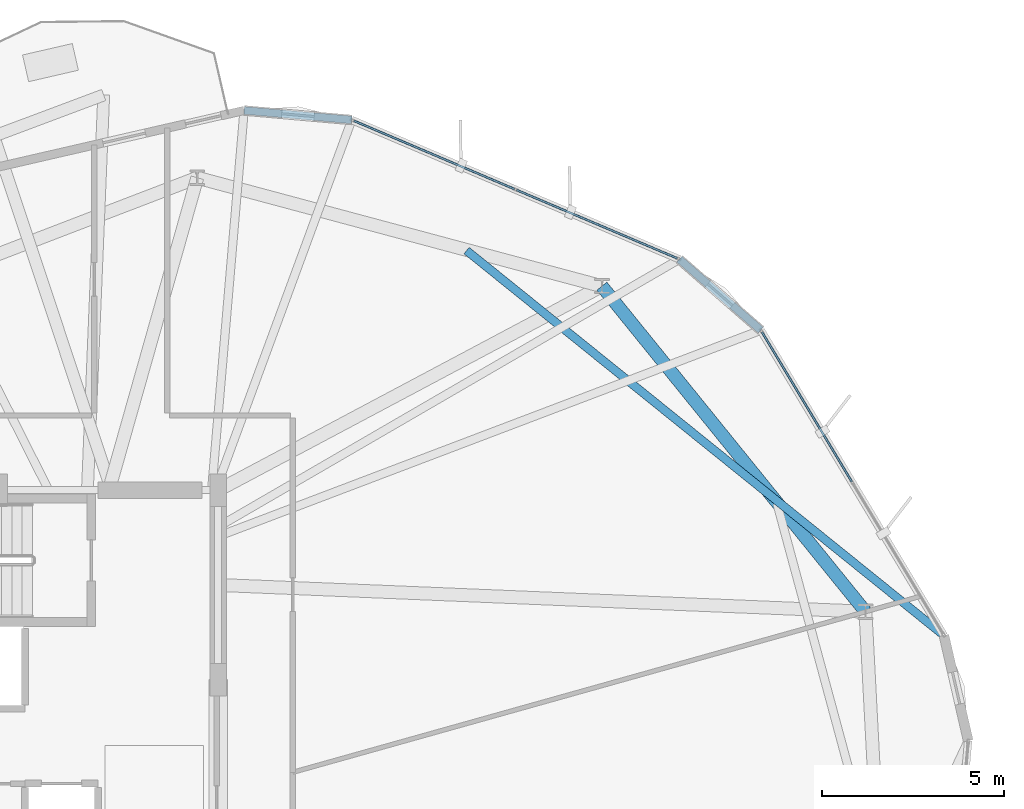
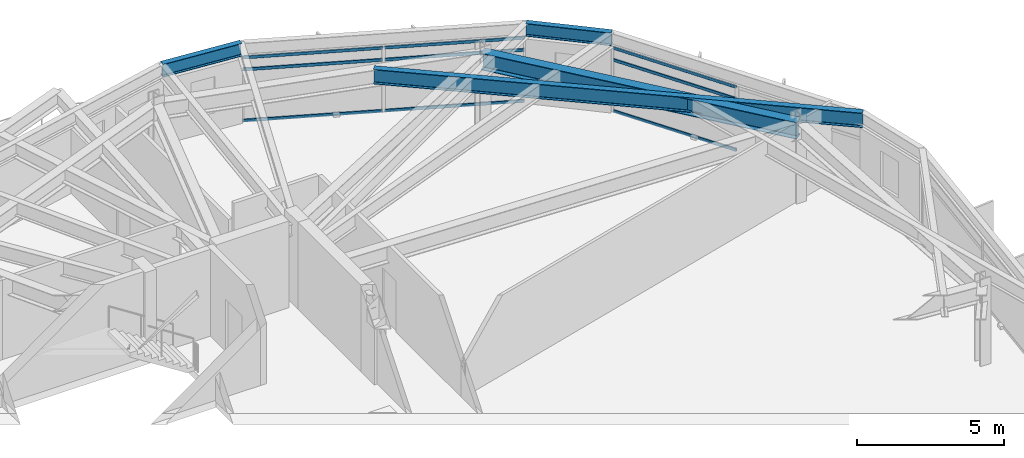
# One storey, part 19 of 27: 9 members, 4 beams, 2 elements without a shape of their own.
"""IFC4 building model written with IfcOpenShell, lengths in metres."""

from ifc_helpers import new_model, si_unit, direction, frame, origin, origin_2d, place, context, subcontext, project, spatial, hollow_rectangle, i_section, extrude, material, layer, layer_set, material_profile, profile_set, type_object, element, aggregate, save


model = new_model("IFC4")

# Units and contexts
model_context = context("Model", 3, precision=1e-05, world=origin(), true_north=direction((0.0, 1.0)))
body_context = subcontext(model_context, "Body", "Model", "MODEL_VIEW")
ifc_project = project(units=[si_unit("LENGTHUNIT", "METRE"), si_unit("AREAUNIT", "SQUARE_METRE"), si_unit("VOLUMEUNIT", "CUBIC_METRE"), si_unit("PLANEANGLEUNIT", "RADIAN"), si_unit("MASSUNIT", "GRAM", prefix="KILO")], contexts=[model_context])

# Site, building, storey
site_placement = place(None, origin())
site = spatial("IfcSite", under=ifc_project, at=site_placement, CompositionType="ELEMENT")
building_placement = place(site_placement, origin())
building = spatial("IfcBuilding", under=site, at=building_placement, Name="Soratama Intermodal Tower", CompositionType="ELEMENT")
storey_placement = place(building_placement, frame((0.0, 0.0, 212.199951171875)))
storey = spatial("IfcBuildingStorey", under=building, at=storey_placement, Name="L53", CompositionType="ELEMENT", Elevation=212.199951171875)

# Beams
ifc_material_1 = material(Name="Structural steel ASTM A992 Grade 50", Category="steel")
ifc_material_profile_1 = material_profile(ifc_material_1, i_section(OverallWidth=0.35498046875, OverallDepth=0.695068359375, WebThickness=0.015380859375, FlangeThickness=0.02490234375, FilletRadius=0.01611328125, at=origin_2d()), Name="W27X146")
ifc_profile_set_1 = profile_set([ifc_material_profile_1], Name="Structural steel ASTM A992 Grade 50")
beam_type_1 = type_object("IfcBeamType", Name="BM-RING-W27X146", PredefinedType="BEAM", material=ifc_profile_set_1)
beam_1_placement = place(storey_placement, frame((62.364990234375, 31.666015625, 2.95263671875), z_axis=(-0.629384551156, 0.777094001242, 0.0), x_axis=(-0.777094001242, -0.629384551156, 0.0)))
element("IfcBeam", 1, at=beam_1_placement, inside=storey, type_object=beam_type_1, Name="BM-L53-RING-01", PredefinedType="BEAM", context=body_context, shape_type="SweptSolid", body=[
    extrude(i_section(OverallWidth=0.35498046875, OverallDepth=0.695068359375, WebThickness=0.015380859375, FlangeThickness=0.02490234375, FilletRadius=0.01611328125, at=origin_2d()), origin(), (0.0, 0.0, 1.0), 11.49560546875),
])
ifc_material_2 = material(Name="Structural steel ASTM A992 Grade 50", Category="steel")
ifc_material_profile_2 = material_profile(ifc_material_2, i_section(OverallWidth=0.2099609375, OverallDepth=0.537109375, WebThickness=0.010986328125, FlangeThickness=0.017333984375, FilletRadius=0.012939453125, at=origin_2d()), Name="W21X68")
ifc_profile_set_2 = profile_set([ifc_material_profile_2], Name="Structural steel ASTM A992 Grade 50")
beam_type_2 = type_object("IfcBeamType", Name="BM-SPN-W21X68", PredefinedType="SPANDREL", material=ifc_profile_set_2)
beam_2_placement = place(storey_placement, frame((48.26708984375, 45.162109375, 3.031494140625), z_axis=(-0.996122641277, 0.08797547121, 0.0), x_axis=(-0.08797547121, -0.996122641277, 0.0)))
element("IfcBeam", 2, at=beam_2_placement, inside=storey, type_object=beam_type_2, Name="BS-L53-CRN01", PredefinedType="SPANDREL", context=body_context, shape_type="SweptSolid", body=[
    extrude(i_section(OverallWidth=0.2099609375, OverallDepth=0.537109375, WebThickness=0.010986328125, FlangeThickness=0.017333984375, FilletRadius=0.012939453125, at=origin_2d()), origin(), (0.0, 0.0, 1.0), 2.966552734375),
])
beam_3_placement = place(storey_placement, frame((59.493896484375, 39.39111328125, 3.031494140625), z_axis=(-0.754114469812, 0.656742998759, 0.0), x_axis=(-0.656742998759, -0.754114469812, 0.0)))
element("IfcBeam", 3, at=beam_3_placement, inside=storey, type_object=beam_type_2, Name="BS-L53-CRN10", PredefinedType="SPANDREL", context=body_context, shape_type="SweptSolid", body=[
    extrude(i_section(OverallWidth=0.2099609375, OverallDepth=0.537109375, WebThickness=0.010986328125, FlangeThickness=0.017333984375, FilletRadius=0.012939453125, at=origin_2d()), origin(), (0.0, 0.0, 1.0), 2.966064453125),
])
ifc_material_3 = material(Name="Structural steel ASTM A992 Grade 50", Category="steel")
ifc_material_profile_3 = material_profile(ifc_material_3, i_section(OverallWidth=0.22900390625, OverallDepth=0.612060546875, WebThickness=0.011962890625, FlangeThickness=0.01953125, FilletRadius=0.012939453125, at=origin_2d()), Name="W24X84")
ifc_profile_set_3 = profile_set([ifc_material_profile_3], Name="Structural steel ASTM A992 Grade 50")
beam_type_3 = type_object("IfcBeamType", Name="BM-TIE-W24X84", PredefinedType="BEAM", material=ifc_profile_set_3)
beam_4_placement = place(storey_placement, frame((51.4169921875, 41.576904296875, 2.994140625), z_axis=(0.778528268191, -0.62760954074, 0.0), x_axis=(0.62760954074, 0.778528268191, 0.0)))
element("IfcBeam", 4, at=beam_4_placement, inside=storey, type_object=beam_type_3, Name="BM-L53-TIE0-10", PredefinedType="BEAM", context=body_context, shape_type="SweptSolid", body=[
    extrude(i_section(OverallWidth=0.22900390625, OverallDepth=0.612060546875, WebThickness=0.011962890625, FlangeThickness=0.01953125, FilletRadius=0.012939453125, at=origin_2d()), origin(), (0.0, 0.0, 1.0), 16.83056640625),
])

# Curtain wall, members
ifc_material_4 = material(Name="Double-glazed aluminium curtain wall", Category="aluminium")
ifc_layer = layer(ifc_material_4, 0.159912109375)
ifc_layer_set = layer_set([ifc_layer], Name="Double-glazed aluminium curtain wall")
curtain_wall_type = type_object("IfcCurtainWallType", Name="CW-SYS-5", PredefinedType="NOTDEFINED", material=ifc_layer_set)
curtain_wall_1_placement = place(storey_placement, origin())
curtain_wall_1 = element("IfcCurtainWall", 5, at=curtain_wall_1_placement, inside=storey, type_object=curtain_wall_type, Name="L53 Faceted Curtain Wall F01", PredefinedType="NOTDEFINED")
ifc_material_5 = material(Name="Anodised aluminium AA 6063-T6", Category="aluminium")
ifc_material_profile_4 = material_profile(ifc_material_5, hollow_rectangle(XDim=0.06005859375, YDim=0.1298828125, WallThickness=0.0048828125, InnerFilletRadius=0.0048828125, OuterFilletRadius=0.010009765625, at=origin_2d()), Name="CWT130X60X5")
ifc_profile_set_4 = profile_set([ifc_material_profile_4], Name="Anodised aluminium AA 6063-T6")
member_type = type_object("IfcMemberType", Name="TT-CWT-2", PredefinedType="USERDEFINED", material=ifc_profile_set_4)
member_1_placement = place(storey_placement, frame((57.20166015625, 41.362548828125, 0.030029296875), z_axis=(-0.920231905722, 0.391373529625, 0.0), x_axis=(-0.391373529625, -0.920231905722, 0.0)))
member_1 = element("IfcMember", 6, at=member_1_placement, type_object=member_type, Name="CW-5 transom 1.1", ObjectType="TRANSOM", PredefinedType="USERDEFINED", context=body_context, shape_type="SweptSolid", body=[
    extrude(hollow_rectangle(XDim=0.06005859375, YDim=0.1298828125, WallThickness=0.0048828125, InnerFilletRadius=0.0048828125, OuterFilletRadius=0.010009765625, at=origin_2d()), origin(), (0.0, 0.0, 1.0), 4.794677734375),
])
member_2_placement = place(storey_placement, frame((57.20166015625, 41.362548828125, 2.150146484375), z_axis=(-0.920231905722, 0.391373529625, 0.0), x_axis=(-0.391373529625, -0.920231905722, 0.0)))
member_2 = element("IfcMember", 7, at=member_2_placement, type_object=member_type, Name="CW-5 transom 1.2", ObjectType="TRANSOM", PredefinedType="USERDEFINED", context=body_context, shape_type="SweptSolid", body=[
    extrude(hollow_rectangle(XDim=0.06005859375, YDim=0.1298828125, WallThickness=0.0048828125, InnerFilletRadius=0.0048828125, OuterFilletRadius=0.010009765625, at=origin_2d()), origin(), (0.0, 0.0, 1.0), 4.794677734375),
])
member_3_placement = place(storey_placement, frame((57.20166015625, 41.362548828125, 2.649169921875), z_axis=(-0.920231905722, 0.391373529625, 0.0), x_axis=(-0.391373529625, -0.920231905722, 0.0)))
member_3 = element("IfcMember", 8, at=member_3_placement, type_object=member_type, Name="CW-5 transom 1.3", ObjectType="TRANSOM", PredefinedType="USERDEFINED", context=body_context, shape_type="SweptSolid", body=[
    extrude(hollow_rectangle(XDim=0.06005859375, YDim=0.1298828125, WallThickness=0.0048828125, InnerFilletRadius=0.0048828125, OuterFilletRadius=0.010009765625, at=origin_2d()), origin(), (0.0, 0.0, 1.0), 4.794677734375),
])
member_4_placement = place(storey_placement, frame((52.734375, 43.262451171875, 0.030029296875), z_axis=(-0.920224105544, 0.391391869582, 0.0), x_axis=(-0.391391869582, -0.920224105544, 0.0)))
member_4 = element("IfcMember", 9, at=member_4_placement, type_object=member_type, Name="CW-5 transom 2.1", ObjectType="TRANSOM", PredefinedType="USERDEFINED", context=body_context, shape_type="SweptSolid", body=[
    extrude(hollow_rectangle(XDim=0.06005859375, YDim=0.1298828125, WallThickness=0.0048828125, InnerFilletRadius=0.0048828125, OuterFilletRadius=0.010009765625, at=origin_2d()), origin(), (0.0, 0.0, 1.0), 4.79443359375),
])
member_5_placement = place(storey_placement, frame((52.734375, 43.262451171875, 2.150146484375), z_axis=(-0.920224105544, 0.391391869582, 0.0), x_axis=(-0.391391869582, -0.920224105544, 0.0)))
member_5 = element("IfcMember", 10, at=member_5_placement, type_object=member_type, Name="CW-5 transom 2.2", ObjectType="TRANSOM", PredefinedType="USERDEFINED", context=body_context, shape_type="SweptSolid", body=[
    extrude(hollow_rectangle(XDim=0.06005859375, YDim=0.1298828125, WallThickness=0.0048828125, InnerFilletRadius=0.0048828125, OuterFilletRadius=0.010009765625, at=origin_2d()), origin(), (0.0, 0.0, 1.0), 4.79443359375),
])
member_6_placement = place(storey_placement, frame((52.734375, 43.262451171875, 2.649169921875), z_axis=(-0.920224105544, 0.391391869582, 0.0), x_axis=(-0.391391869582, -0.920224105544, 0.0)))
member_6 = element("IfcMember", 11, at=member_6_placement, type_object=member_type, Name="CW-5 transom 2.3", ObjectType="TRANSOM", PredefinedType="USERDEFINED", context=body_context, shape_type="SweptSolid", body=[
    extrude(hollow_rectangle(XDim=0.06005859375, YDim=0.1298828125, WallThickness=0.0048828125, InnerFilletRadius=0.0048828125, OuterFilletRadius=0.010009765625, at=origin_2d()), origin(), (0.0, 0.0, 1.0), 4.79443359375),
])
aggregate(curtain_wall_1, [member_1, member_2, member_3, member_4, member_5, member_6])

curtain_wall_2_placement = place(storey_placement, origin())
curtain_wall_2 = element("IfcCurtainWall", 12, at=curtain_wall_2_placement, inside=storey, type_object=curtain_wall_type, Name="L53 Faceted Curtain Wall F10", PredefinedType="NOTDEFINED")
member_7_placement = place(storey_placement, frame((61.99169921875, 35.228515625, 0.030029296875), z_axis=(-0.514458312774, 0.857515390193, 0.0), x_axis=(-0.857515390193, -0.514458312774, 0.0)))
member_7 = element("IfcMember", 13, at=member_7_placement, type_object=member_type, Name="CW-5 transom 2.1", ObjectType="TRANSOM", PredefinedType="USERDEFINED", context=body_context, shape_type="SweptSolid", body=[
    extrude(hollow_rectangle(XDim=0.06005859375, YDim=0.1298828125, WallThickness=0.0048828125, InnerFilletRadius=0.0048828125, OuterFilletRadius=0.010009765625, at=origin_2d()), origin(), (0.0, 0.0, 1.0), 4.79443359375),
])
member_8_placement = place(storey_placement, frame((61.99169921875, 35.228515625, 2.150146484375), z_axis=(-0.514458312774, 0.857515390193, 0.0), x_axis=(-0.857515390193, -0.514458312774, 0.0)))
member_8 = element("IfcMember", 14, at=member_8_placement, type_object=member_type, Name="CW-5 transom 2.2", ObjectType="TRANSOM", PredefinedType="USERDEFINED", context=body_context, shape_type="SweptSolid", body=[
    extrude(hollow_rectangle(XDim=0.06005859375, YDim=0.1298828125, WallThickness=0.0048828125, InnerFilletRadius=0.0048828125, OuterFilletRadius=0.010009765625, at=origin_2d()), origin(), (0.0, 0.0, 1.0), 4.79443359375),
])
member_9_placement = place(storey_placement, frame((61.99169921875, 35.228515625, 2.649169921875), z_axis=(-0.514458312774, 0.857515390193, 0.0), x_axis=(-0.857515390193, -0.514458312774, 0.0)))
member_9 = element("IfcMember", 15, at=member_9_placement, type_object=member_type, Name="CW-5 transom 2.3", ObjectType="TRANSOM", PredefinedType="USERDEFINED", context=body_context, shape_type="SweptSolid", body=[
    extrude(hollow_rectangle(XDim=0.06005859375, YDim=0.1298828125, WallThickness=0.0048828125, InnerFilletRadius=0.0048828125, OuterFilletRadius=0.010009765625, at=origin_2d()), origin(), (0.0, 0.0, 1.0), 4.79443359375),
])
aggregate(curtain_wall_2, [member_7, member_8, member_9])

save(model, "model.ifc")
